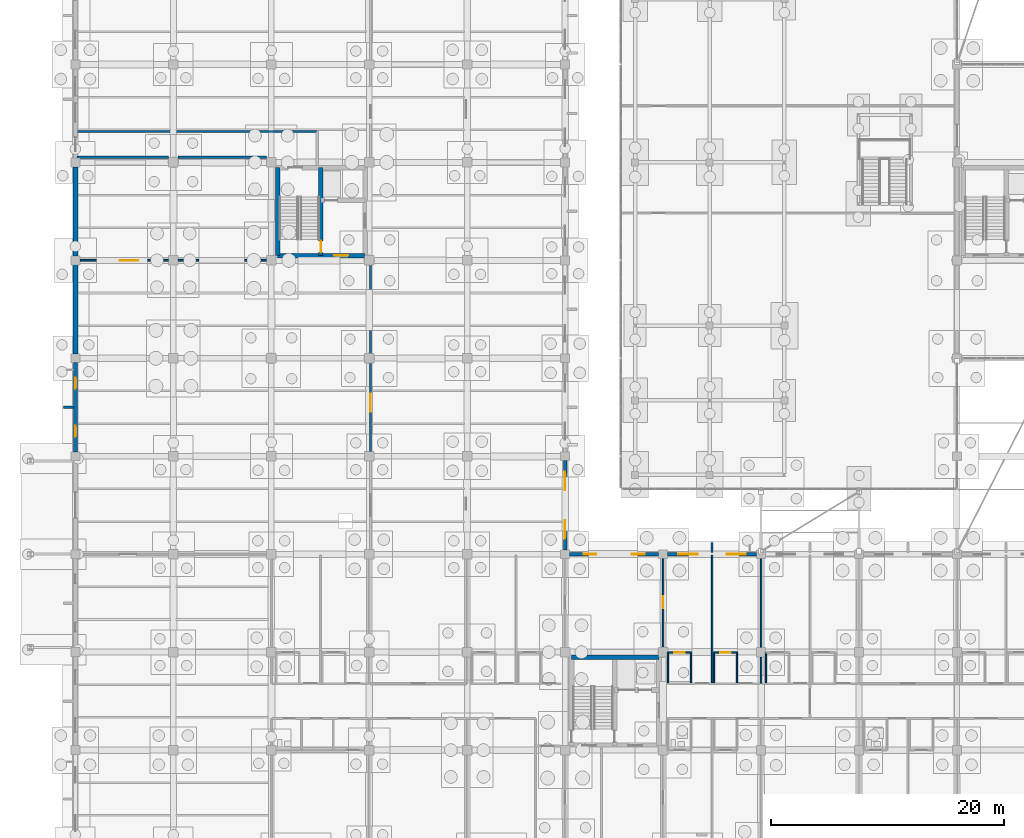
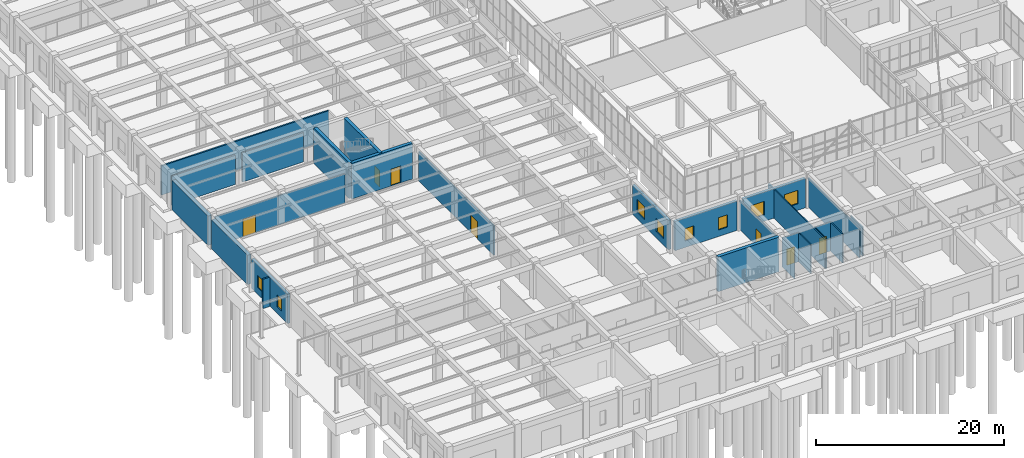
# One storey, part 152 of 192: 27 walls, 8 windows, 7 doors, 15 openings.
"""IFC4 building model written with IfcOpenShell, lengths in metres."""

from ifc_helpers import new_model, si_unit, direction, frame, frame_2d, origin, place, context, subcontext, project, spatial, rectangle, extrude, material, layer, layer_set, type_object, element, fill, save


model = new_model("IFC4")

# Units and contexts
model_context = context("Model", 3, precision=1e-05, world=origin(), true_north=direction((0.0, 1.0)))
body_context = subcontext(model_context, "Body", "Model", "MODEL_VIEW")
ifc_project = project(units=[si_unit("LENGTHUNIT", "METRE"), si_unit("AREAUNIT", "SQUARE_METRE"), si_unit("VOLUMEUNIT", "CUBIC_METRE"), si_unit("PLANEANGLEUNIT", "RADIAN"), si_unit("MASSUNIT", "GRAM", prefix="KILO")], contexts=[model_context])

# Site, building, storey
site_placement = place(None, origin())
site = spatial("IfcSite", under=ifc_project, at=site_placement, CompositionType="ELEMENT")
building_placement = place(site_placement, origin())
building = spatial("IfcBuilding", under=site, at=building_placement, Name="Trelvath General Hospital", CompositionType="ELEMENT")
storey_placement = place(building_placement, origin())
storey = spatial("IfcBuildingStorey", under=building, at=storey_placement, Name="L00", CompositionType="ELEMENT", Elevation=0.0)

# Walls
ifc_material_1 = material(Name="Precast concrete C40/50", Category="concrete")
ifc_layer_1 = layer(ifc_material_1, 0.199951171875)
ifc_layer_set_1 = layer_set([ifc_layer_1], Name="Precast concrete C40/50")
wall_type_1 = type_object("IfcWallType", Name="BriseSoleilRib 200", PredefinedType="ELEMENTEDWALL", material=ifc_layer_set_1)
wall_1_placement = place(storey_placement, frame((-0.14990234375, 37.800048828125, 0.0), z_axis=(0.0, 0.0, 1.0), x_axis=(-1.0, 0.0, 0.0)))
element("IfcWall", 1, at=wall_1_placement, inside=storey, type_object=wall_type_1, Name="Precast Concrete Brise-Soleil Rib Fin L00-4", PredefinedType="ELEMENTEDWALL", context=body_context, shape_type="SweptSolid", body=[
    extrude(rectangle(XDim=0.85009765625, YDim=0.199951171875, at=frame_2d((0.425048828125, 0.0))), origin(), (0.0, 0.0, 1.0), 3.800048828125),
])
wall_2_placement = place(storey_placement, frame((54.60009765625, 25.35009765625, 0.0), z_axis=(0.0, 0.0, 1.0), x_axis=(0.0, 1.0, 0.0)))
element("IfcWall", 2, at=wall_2_placement, inside=storey, type_object=wall_type_1, Name="Precast Concrete Brise-Soleil Rib Fin L00-25", PredefinedType="ELEMENTEDWALL", context=body_context, shape_type="SweptSolid", body=[
    extrude(rectangle(XDim=0.849853515625, YDim=0.199951171875, at=frame_2d((0.4248046875, 0.0))), origin(), (0.0, 0.0, 1.0), 3.800048828125),
])

# Wall, opening, door
ifc_material_2 = material(Name="Gypsum acoustic steel-stud partition", Category="steel")
ifc_layer_2 = layer(ifc_material_2, 0.14990234375)
ifc_layer_set_2 = layer_set([ifc_layer_2], Name="Gypsum acoustic steel-stud partition")
wall_type_2 = type_object("IfcWallType", Name="ClinicalPartition 150", PredefinedType="PARTITIONING", material=ifc_layer_set_2)
wall_3_placement = place(storey_placement, frame((25.300048828125, 34.0, 0.0), z_axis=(0.0, 0.0, 1.0), x_axis=(0.0, 1.0, 0.0)))
wall_3 = element("IfcWall", 3, at=wall_3_placement, inside=storey, type_object=wall_type_2, Name="Imaging MRI-CT Partition L00-321", PredefinedType="PARTITIONING", context=body_context, shape_type="SweptSolid", body=[
    extrude(rectangle(XDim=16.0, YDim=0.14990234375, at=frame_2d((8.0, 0.0))), origin(), (0.0, 0.0, 1.0), 3.800048828125),
])
opening_1_placement = place(wall_3_placement, frame((3.39990234375, 0.0, 0.0)))
opening_1 = element("IfcOpeningElement", 4, at=opening_1_placement, cuts=wall_3, Name="Opening D-0-0440", PredefinedType="OPENING", context=body_context, shape_type="SweptSolid", body=[
    extrude(rectangle(XDim=1.550048828125, YDim=2.300048828125, at=frame_2d((0.77490234375, 1.14990234375))), frame((0.0, 0.0849609375, 0.0), z_axis=(0.0, -1.0, 0.0), x_axis=(1.0, 0.0, 0.0)), (0.0, 0.0, 1.0), 0.169921875),
])
ifc_material_3 = material(Name="Lead-lined radiation-shielded door")
door_type_1 = type_object("IfcDoorType", Name="Door Imaging 1550x2300", OperationType="DOUBLE_SWING_LEFT", PredefinedType="DOOR", material=ifc_material_3)
door_1_placement = place(opening_1_placement, origin())
door_1 = element("IfcDoor", 5, at=door_1_placement, inside=storey, type_object=door_type_1, Name="Imaging MRI-CT Door L00-440", OperationType="DOUBLE_SWING_LEFT", OverallHeight=2.300048828125, OverallWidth=1.550048828125, PredefinedType="DOOR", context=body_context, shape_type="SweptSolid", body=[
    extrude(rectangle(XDim=1.550048828125, YDim=2.300048828125, at=frame_2d((0.77490234375, 1.14990234375))), frame((0.0, 0.02490234375, 0.0), z_axis=(0.0, -1.0, 0.0), x_axis=(1.0, 0.0, 0.0)), (0.0, 0.0, 1.0), 0.050048828125),
])
fill(opening_1, door_1)

wall_4_placement = place(storey_placement, frame((0.419921875, 50.39990234375, 0.0), z_axis=(0.0, 0.0, 1.0), x_axis=(1.0, 0.0, 0.0)))
wall_4 = element("IfcWall", 6, at=wall_4_placement, inside=storey, type_object=wall_type_2, Name="Radiology Control Partition L00-322", PredefinedType="PARTITIONING", context=body_context, shape_type="SweptSolid", body=[
    extrude(rectangle(XDim=15.9599609375, YDim=0.14990234375, at=frame_2d((7.97998046875, 0.0))), origin(), (0.0, 0.0, 1.0), 3.800048828125),
])
opening_2_placement = place(wall_4_placement, frame((3.39990234375, 0.0, 0.0)))
opening_2 = element("IfcOpeningElement", 7, at=opening_2_placement, cuts=wall_4, Name="Opening D-0-0441", PredefinedType="OPENING", context=body_context, shape_type="SweptSolid", body=[
    extrude(rectangle(XDim=1.550048828125, YDim=2.300048828125, at=frame_2d((0.77490234375, 1.14990234375))), frame((0.0, 0.0849609375, 0.0), z_axis=(0.0, -1.0, 0.0), x_axis=(1.0, 0.0, 0.0)), (0.0, 0.0, 1.0), 0.169921875),
])
door_2_placement = place(opening_2_placement, origin())
door_2 = element("IfcDoor", 8, at=door_2_placement, inside=storey, type_object=door_type_1, Name="Radiology Control Door L00-441", OperationType="DOUBLE_SWING_LEFT", OverallHeight=2.300048828125, OverallWidth=1.550048828125, PredefinedType="DOOR", context=body_context, shape_type="SweptSolid", body=[
    extrude(rectangle(XDim=1.550048828125, YDim=2.300048828125, at=frame_2d((0.77490234375, 1.14990234375))), frame((0.0, 0.02490234375, 0.0), z_axis=(0.0, -1.0, 0.0), x_axis=(1.0, 0.0, 0.0)), (0.0, 0.0, 1.0), 0.050048828125),
])
fill(opening_2, door_2)

# Wall
ifc_material_4 = material(Name="Concrete C40/50", Category="concrete")
ifc_layer_3 = layer(ifc_material_4, 0.39990234375)
ifc_layer_set_3 = layer_set([ifc_layer_3], Name="Concrete C40/50")
wall_type_3 = type_object("IfcWallType", Name="CoreShearWall 400", PredefinedType="SHEAR", material=ifc_layer_set_3)
wall_5_placement = place(storey_placement, frame((42.550048828125, 16.35009765625, 0.0), z_axis=(0.0, 0.0, 1.0), x_axis=(1.0, 0.0, 0.0)))
element("IfcWall", 9, at=wall_5_placement, inside=storey, type_object=wall_type_3, Name="Core Shear Wall C4 N L00", PredefinedType="SHEAR", context=body_context, shape_type="SweptSolid", body=[
    extrude(rectangle(XDim=7.5, YDim=0.39990234375, at=frame_2d((3.75, 0.0))), origin(), (0.0, 0.0, 1.0), 4.52001953125),
])

# Wall, opening, door
wall_6_placement = place(storey_placement, frame((17.35009765625, 50.800048828125, 0.0), z_axis=(0.0, 0.0, 1.0), x_axis=(1.0, 0.0, 0.0)))
wall_6 = element("IfcWall", 10, at=wall_6_placement, inside=storey, type_object=wall_type_3, Name="Core Shear Wall C8 S L00", PredefinedType="SHEAR", context=body_context, shape_type="SweptSolid", body=[
    extrude(rectangle(XDim=7.5, YDim=0.39990234375, at=frame_2d((3.75, 0.0))), origin(), (0.0, 0.0, 1.0), 4.639892578125),
])
opening_3_placement = place(wall_6_placement, frame((4.85009765625, 0.0, 0.0)))
opening_3 = element("IfcOpeningElement", 11, at=opening_3_placement, cuts=wall_6, Name="Opening FD-LS80", PredefinedType="OPENING", context=body_context, shape_type="SweptSolid", body=[
    extrude(rectangle(XDim=1.199951171875, YDim=2.199951171875, at=frame_2d((0.60009765625, 1.10009765625))), frame((0.0, 0.2099609375, 0.0), z_axis=(0.0, -1.0, 0.0), x_axis=(1.0, 0.0, 0.0)), (0.0, 0.0, 1.0), 0.419921875),
])
ifc_material_5 = material(Name="Fire-rated steel door", Category="steel")
door_type_2 = type_object("IfcDoorType", Name="Door FireLobby 1200x2200", OperationType="NOTDEFINED", PredefinedType="DOOR", material=ifc_material_5)
door_3_placement = place(opening_3_placement, origin())
door_3 = element("IfcDoor", 12, at=door_3_placement, inside=storey, type_object=door_type_2, Name="Fire Lobby South Concourse Door C8 L00", OperationType="SINGLE_SWING_LEFT", OverallHeight=2.199951171875, OverallWidth=1.199951171875, PredefinedType="DOOR", context=body_context, shape_type="SweptSolid", body=[
    extrude(rectangle(XDim=1.199951171875, YDim=2.199951171875, at=frame_2d((0.60009765625, 1.10009765625))), frame((0.0, 0.02490234375, 0.0), z_axis=(0.0, -1.0, 0.0), x_axis=(1.0, 0.0, 0.0)), (0.0, 0.0, 1.0), 0.050048828125),
])
fill(opening_3, door_3)

# Wall
wall_7_placement = place(storey_placement, frame((17.35009765625, 50.800048828125, 0.0), z_axis=(0.0, 0.0, 1.0), x_axis=(0.0, 1.0, 0.0)))
element("IfcWall", 13, at=wall_7_placement, inside=storey, type_object=wall_type_3, Name="Core Shear Wall C8 W L00", PredefinedType="SHEAR", context=body_context, shape_type="SweptSolid", body=[
    extrude(rectangle(XDim=7.550048828125, YDim=0.39990234375, at=frame_2d((3.77490234375, 0.0))), origin(), (0.0, 0.0, 1.0), 4.639892578125),
])

# Wall, opening, door
wall_8_placement = place(storey_placement, frame((21.050048828125, 50.800048828125, 0.0), z_axis=(0.0, 0.0, 1.0), x_axis=(0.0, 1.0, 0.0)))
wall_8 = element("IfcWall", 14, at=wall_8_placement, inside=storey, type_object=wall_type_3, Name="Core Shear Wall C8 SPINE L00", PredefinedType="SHEAR", context=body_context, shape_type="SweptSolid", body=[
    extrude(rectangle(XDim=7.550048828125, YDim=0.39990234375, at=frame_2d((3.77490234375, 0.0))), origin(), (0.0, 0.0, 1.0), 4.639892578125),
])
opening_4_placement = place(wall_8_placement, frame((0.280029296875, 0.0, 0.0)))
opening_4 = element("IfcOpeningElement", 15, at=opening_4_placement, cuts=wall_8, Name="Opening FD-S80", PredefinedType="OPENING", context=body_context, shape_type="SweptSolid", body=[
    extrude(rectangle(XDim=1.0, YDim=2.14990234375, at=frame_2d((0.5, 1.074951171875))), frame((0.0, 0.2099609375, 0.0), z_axis=(0.0, -1.0, 0.0), x_axis=(1.0, 0.0, 0.0)), (0.0, 0.0, 1.0), 0.419921875),
])
ifc_material_6 = material(Name="Fire-rated steel door", Category="steel")
door_type_3 = type_object("IfcDoorType", Name="Door FireStair 1100x2150", OperationType="NOTDEFINED", PredefinedType="DOOR", material=ifc_material_6)
door_4_placement = place(opening_4_placement, origin())
door_4 = element("IfcDoor", 16, at=door_4_placement, inside=storey, type_object=door_type_3, Name="Exit Stair Door ST8 L00", OperationType="SINGLE_SWING_RIGHT", OverallHeight=2.14990234375, OverallWidth=1.0, PredefinedType="DOOR", context=body_context, shape_type="SweptSolid", body=[
    extrude(rectangle(XDim=1.0, YDim=2.14990234375, at=frame_2d((0.5, 1.074951171875))), frame((0.0, 0.02490234375, 0.0), z_axis=(0.0, -1.0, 0.0), x_axis=(1.0, 0.0, 0.0)), (0.0, 0.0, 1.0), 0.050048828125),
])
fill(opening_4, door_4)

# Walls
ifc_material_7 = material(Name="Moisture-resistant tile partition")
ifc_layer_4 = layer(ifc_material_7, 0.110107421875)
ifc_layer_set_4 = layer_set([ifc_layer_4], Name="Moisture-resistant tile partition")
wall_type_4 = type_object("IfcWallType", Name="EnSuiteWetWall 110", PredefinedType="PARTITIONING", material=ifc_layer_set_4)
for number, where, z_axis, x_axis, name in (
    (17, (50.820068359375, 14.169921875, 0.0), (0.0, 0.0, 1.0), (0.0, 1.0, 0.0), "En-Suite W Wall N L00-56"),
    (18, (52.800048828125, 14.169921875, 0.0), (0.0, 0.0, 1.0), (0.0, 1.0, 0.0), "En-Suite E Wall N L00-57"),
):
    element("IfcWall", number, at=place(storey_placement, frame(where, z_axis=z_axis, x_axis=x_axis)), inside=storey, type_object=wall_type_4, Name=name, PredefinedType="PARTITIONING", context=body_context, shape_type="SweptSolid", body=[
        extrude(rectangle(XDim=2.610107421875, YDim=0.110107421875, at=frame_2d((1.30517578125, 0.0))), origin(), (0.0, 0.0, 1.0), 3.800048828125),
    ])

# Wall, opening, door
wall_9_placement = place(storey_placement, frame((50.820068359375, 16.780029296875, 0.0), z_axis=(0.0, 0.0, 1.0), x_axis=(1.0, 0.0, 0.0)))
wall_9 = element("IfcWall", 19, at=wall_9_placement, inside=storey, type_object=wall_type_4, Name="En-Suite Bathroom N Partition L00-58", PredefinedType="PARTITIONING", context=body_context, shape_type="SweptSolid", body=[
    extrude(rectangle(XDim=1.97998046875, YDim=0.110107421875, at=frame_2d((0.989990234375, 0.0))), origin(), (0.0, 0.0, 1.0), 3.800048828125),
])
opening_5_placement = place(wall_9_placement, frame((0.5400390625, 0.0, 0.0)))
opening_5 = element("IfcOpeningElement", 20, at=opening_5_placement, cuts=wall_9, Name="Opening D-0-0311", PredefinedType="OPENING", context=body_context, shape_type="SweptSolid", body=[
    extrude(rectangle(XDim=0.89990234375, YDim=2.10009765625, at=frame_2d((0.449951171875, 1.050048828125))), frame((0.0, 0.06494140625, 0.0), z_axis=(0.0, -1.0, 0.0), x_axis=(1.0, 0.0, 0.0)), (0.0, 0.0, 1.0), 0.130126953125),
])
ifc_material_8 = material(Name="Moisture-sealed timber leaf", Category="wood")
door_type_4 = type_object("IfcDoorType", Name="Door EnSuite 900x2100", OperationType="NOTDEFINED", PredefinedType="DOOR", material=ifc_material_8)
door_5_placement = place(opening_5_placement, origin())
door_5 = element("IfcDoor", 21, at=door_5_placement, inside=storey, type_object=door_type_4, Name="En-Suite Bathroom N Door L00-311", OperationType="SINGLE_SWING_LEFT", OverallHeight=2.10009765625, OverallWidth=0.89990234375, PredefinedType="DOOR", context=body_context, shape_type="SweptSolid", body=[
    extrude(rectangle(XDim=0.89990234375, YDim=2.10009765625, at=frame_2d((0.449951171875, 1.050048828125))), frame((0.0, 0.02490234375, 0.0), z_axis=(0.0, -1.0, 0.0), x_axis=(1.0, 0.0, 0.0)), (0.0, 0.0, 1.0), 0.050048828125),
])
fill(opening_5, door_5)

# Walls
for number, where, z_axis, x_axis, name in (
    (22, (54.760009765625, 14.169921875, 0.0), (0.0, 0.0, 1.0), (0.0, 1.0, 0.0), "En-Suite W Wall N L00-59"),
    (23, (56.739990234375, 14.169921875, 0.0), (0.0, 0.0, 1.0), (0.0, 1.0, 0.0), "En-Suite E Wall N L00-60"),
):
    element("IfcWall", number, at=place(storey_placement, frame(where, z_axis=z_axis, x_axis=x_axis)), inside=storey, type_object=wall_type_4, Name=name, PredefinedType="PARTITIONING", context=body_context, shape_type="SweptSolid", body=[
        extrude(rectangle(XDim=2.610107421875, YDim=0.110107421875, at=frame_2d((1.30517578125, 0.0))), origin(), (0.0, 0.0, 1.0), 3.800048828125),
    ])

# Wall, opening, door
wall_10_placement = place(storey_placement, frame((54.760009765625, 16.780029296875, 0.0), z_axis=(0.0, 0.0, 1.0), x_axis=(1.0, 0.0, 0.0)))
wall_10 = element("IfcWall", 24, at=wall_10_placement, inside=storey, type_object=wall_type_4, Name="En-Suite Bathroom N Partition L00-61", PredefinedType="PARTITIONING", context=body_context, shape_type="SweptSolid", body=[
    extrude(rectangle(XDim=1.97998046875, YDim=0.110107421875, at=frame_2d((0.989990234375, 0.0))), origin(), (0.0, 0.0, 1.0), 3.800048828125),
])
opening_6_placement = place(wall_10_placement, frame((0.5400390625, 0.0, 0.0)))
opening_6 = element("IfcOpeningElement", 25, at=opening_6_placement, cuts=wall_10, Name="Opening D-0-0312", PredefinedType="OPENING", context=body_context, shape_type="SweptSolid", body=[
    extrude(rectangle(XDim=0.89990234375, YDim=2.10009765625, at=frame_2d((0.449951171875, 1.050048828125))), frame((0.0, 0.06494140625, 0.0), z_axis=(0.0, -1.0, 0.0), x_axis=(1.0, 0.0, 0.0)), (0.0, 0.0, 1.0), 0.130126953125),
])
door_6_placement = place(opening_6_placement, origin())
door_6 = element("IfcDoor", 26, at=door_6_placement, inside=storey, type_object=door_type_4, Name="En-Suite Bathroom N Door L00-312", OperationType="SINGLE_SWING_RIGHT", OverallHeight=2.10009765625, OverallWidth=0.89990234375, PredefinedType="DOOR", context=body_context, shape_type="SweptSolid", body=[
    extrude(rectangle(XDim=0.89990234375, YDim=2.10009765625, at=frame_2d((0.449951171875, 1.050048828125))), frame((0.0, 0.02490234375, 0.0), z_axis=(0.0, -1.0, 0.0), x_axis=(1.0, 0.0, 0.0)), (0.0, 0.0, 1.0), 0.050048828125),
])
fill(opening_6, door_6)

# Wall
wall_11_placement = place(storey_placement, frame((59.219970703125, 14.169921875, 0.0), z_axis=(0.0, 0.0, 1.0), x_axis=(0.0, 1.0, 0.0)))
element("IfcWall", 27, at=wall_11_placement, inside=storey, type_object=wall_type_4, Name="En-Suite W Wall N L00-67", PredefinedType="PARTITIONING", context=body_context, shape_type="SweptSolid", body=[
    extrude(rectangle(XDim=2.610107421875, YDim=0.110107421875, at=frame_2d((1.30517578125, 0.0))), origin(), (0.0, 0.0, 1.0), 3.800048828125),
])

# Wall, openings, windows
ifc_material_9 = material(Name="Concrete C35/45", Category="concrete")
ifc_layer_5 = layer(ifc_material_9, 0.320068359375)
ifc_layer_set_5 = layer_set([ifc_layer_5], Name="Concrete C35/45")
wall_type_5 = type_object("IfcWallType", Name="ExtThermalWall 320", PredefinedType="SOLIDWALL", material=ifc_layer_set_5)
wall_12_placement = place(storey_placement, frame((0.0, 33.97509765625, 0.0), z_axis=(0.0, 0.0, 1.0), x_axis=(0.0, 1.0, 0.0)))
wall_12 = element("IfcWall", 28, at=wall_12_placement, inside=storey, type_object=wall_type_5, Name="Exterior Concrete Wall L00-6", PredefinedType="SOLIDWALL", context=body_context, shape_type="SweptSolid", body=[
    extrude(rectangle(XDim=7.64990234375, YDim=0.320068359375, at=frame_2d((3.824951171875, 0.0))), origin(), (0.0, 0.0, 1.0), 3.820068359375),
])
opening_7_placement = place(wall_12_placement, frame((1.284423828125, 0.0, 0.85009765625)))
opening_7 = element("IfcOpeningElement", 29, at=opening_7_placement, cuts=wall_12, Name="Opening WN-0-007", PredefinedType="OPENING", context=body_context, shape_type="SweptSolid", body=[
    extrude(rectangle(XDim=0.949951171875, YDim=1.60009765625, at=frame_2d((0.47509765625, 0.800048828125))), frame((0.0, 0.169921875, 0.0), z_axis=(0.0, -1.0, 0.0), x_axis=(1.0, 0.0, 0.0)), (0.0, 0.0, 1.0), 0.340087890625),
])
opening_8_placement = place(wall_12_placement, frame((5.41552734375, 0.0, 0.85009765625)))
opening_8 = element("IfcOpeningElement", 30, at=opening_8_placement, cuts=wall_12, Name="Opening WN-0-008", PredefinedType="OPENING", context=body_context, shape_type="SweptSolid", body=[
    extrude(rectangle(XDim=0.949951171875, YDim=1.60009765625, at=frame_2d((0.47509765625, 0.800048828125))), frame((0.0, 0.169921875, 0.0), z_axis=(0.0, -1.0, 0.0), x_axis=(1.0, 0.0, 0.0)), (0.0, 0.0, 1.0), 0.340087890625),
])
ifc_material_10 = material(Name="Low-E laminated glass", Category="glass")
window_type_1 = type_object("IfcWindowType", Name="Window DeepReveal 950x1600", PartitioningType="SINGLE_PANEL", PredefinedType="WINDOW", material=ifc_material_10)
window_1_placement = place(opening_7_placement, origin())
window_1 = element("IfcWindow", 31, at=window_1_placement, inside=storey, type_object=window_type_1, Name="Solar Reveal Window L00-7", OverallHeight=1.60009765625, OverallWidth=0.949951171875, PartitioningType="SINGLE_PANEL", PredefinedType="WINDOW", context=body_context, shape_type="SweptSolid", body=[
    extrude(rectangle(XDim=0.949951171875, YDim=1.60009765625, at=frame_2d((0.47509765625, 0.800048828125))), frame((0.0, 0.030029296875, 0.0), z_axis=(0.0, -1.0, 0.0), x_axis=(1.0, 0.0, 0.0)), (0.0, 0.0, 1.0), 0.06005859375),
])
fill(opening_7, window_1)
window_2_placement = place(opening_8_placement, origin())
window_2 = element("IfcWindow", 32, at=window_2_placement, inside=storey, type_object=window_type_1, Name="Solar Reveal Window L00-8", OverallHeight=1.60009765625, OverallWidth=0.949951171875, PartitioningType="SINGLE_PANEL", PredefinedType="WINDOW", context=body_context, shape_type="SweptSolid", body=[
    extrude(rectangle(XDim=0.949951171875, YDim=1.60009765625, at=frame_2d((0.47509765625, 0.800048828125))), frame((0.0, 0.030029296875, 0.0), z_axis=(0.0, -1.0, 0.0), x_axis=(1.0, 0.0, 0.0)), (0.0, 0.0, 1.0), 0.06005859375),
])
fill(opening_8, window_2)

wall_13_placement = place(storey_placement, frame((42.0, 33.22509765625, 0.0), z_axis=(0.0, 0.0, 1.0), x_axis=(0.0, -1.0, 0.0)))
wall_13 = element("IfcWall", 33, at=wall_13_placement, inside=storey, type_object=wall_type_5, Name="Exterior Concrete Wall L00-24", PredefinedType="SOLIDWALL", context=body_context, shape_type="SweptSolid", body=[
    extrude(rectangle(XDim=7.650146484375, YDim=0.320068359375, at=frame_2d((3.8251953125, 0.0))), origin(), (0.0, 0.0, 1.0), 3.820068359375),
])
opening_9_placement = place(wall_13_placement, frame((0.969482421875, 0.0, 0.85009765625)))
opening_9 = element("IfcOpeningElement", 34, at=opening_9_placement, cuts=wall_13, Name="Opening WN-0-029", PredefinedType="OPENING", context=body_context, shape_type="SweptSolid", body=[
    extrude(rectangle(XDim=1.580078125, YDim=1.699951171875, at=frame_2d((0.7900390625, 0.85009765625))), frame((0.0, 0.169921875, 0.0), z_axis=(0.0, -1.0, 0.0), x_axis=(1.0, 0.0, 0.0)), (0.0, 0.0, 1.0), 0.340087890625),
])
opening_10_placement = place(wall_13_placement, frame((5.1005859375, 0.0, 0.85009765625)))
opening_10 = element("IfcOpeningElement", 35, at=opening_10_placement, cuts=wall_13, Name="Opening WN-0-030", PredefinedType="OPENING", context=body_context, shape_type="SweptSolid", body=[
    extrude(rectangle(XDim=1.580078125, YDim=1.699951171875, at=frame_2d((0.7900390625, 0.85009765625))), frame((0.0, 0.169921875, 0.0), z_axis=(0.0, -1.0, 0.0), x_axis=(1.0, 0.0, 0.0)), (0.0, 0.0, 1.0), 0.340087890625),
])
ifc_material_11 = material(Name="Low-E laminated glass", Category="glass")
window_type_2 = type_object("IfcWindowType", Name="Window Recovery 1580x1700", PartitioningType="DOUBLE_PANEL_VERTICAL", PredefinedType="WINDOW", material=ifc_material_11)
window_3_placement = place(opening_9_placement, origin())
window_3 = element("IfcWindow", 36, at=window_3_placement, inside=storey, type_object=window_type_2, Name="Solar Reveal Window L00-29", OverallHeight=1.699951171875, OverallWidth=1.580078125, PartitioningType="SINGLE_PANEL", PredefinedType="WINDOW", context=body_context, shape_type="SweptSolid", body=[
    extrude(rectangle(XDim=1.580078125, YDim=1.699951171875, at=frame_2d((0.7900390625, 0.85009765625))), frame((0.0, 0.030029296875, 0.0), z_axis=(0.0, -1.0, 0.0), x_axis=(1.0, 0.0, 0.0)), (0.0, 0.0, 1.0), 0.06005859375),
])
fill(opening_9, window_3)
window_4_placement = place(opening_10_placement, origin())
window_4 = element("IfcWindow", 37, at=window_4_placement, inside=storey, type_object=window_type_2, Name="Solar Reveal Window L00-30", OverallHeight=1.699951171875, OverallWidth=1.580078125, PartitioningType="SINGLE_PANEL", PredefinedType="WINDOW", context=body_context, shape_type="SweptSolid", body=[
    extrude(rectangle(XDim=1.580078125, YDim=1.699951171875, at=frame_2d((0.7900390625, 0.85009765625))), frame((0.0, 0.030029296875, 0.0), z_axis=(0.0, -1.0, 0.0), x_axis=(1.0, 0.0, 0.0)), (0.0, 0.0, 1.0), 0.06005859375),
])
fill(opening_10, window_4)

wall_14_placement = place(storey_placement, frame((42.375, 25.199951171875, 0.0), z_axis=(0.0, 0.0, 1.0), x_axis=(1.0, 0.0, 0.0)))
wall_14 = element("IfcWall", 38, at=wall_14_placement, inside=storey, type_object=wall_type_5, Name="Exterior Concrete Wall L00-34", PredefinedType="SOLIDWALL", context=body_context, shape_type="SweptSolid", body=[
    extrude(rectangle(XDim=7.64990234375, YDim=0.320068359375, at=frame_2d((3.824951171875, 0.0))), origin(), (0.0, 0.0, 1.0), 3.820068359375),
])
opening_11_placement = place(wall_14_placement, frame((1.20947265625, 0.0, 0.85009765625)))
opening_11 = element("IfcOpeningElement", 39, at=opening_11_placement, cuts=wall_14, Name="Opening WN-0-049", PredefinedType="OPENING", context=body_context, shape_type="SweptSolid", body=[
    extrude(rectangle(XDim=1.10009765625, YDim=1.60009765625, at=frame_2d((0.550048828125, 0.800048828125))), frame((0.0, 0.169921875, 0.0), z_axis=(0.0, -1.0, 0.0), x_axis=(1.0, 0.0, 0.0)), (0.0, 0.0, 1.0), 0.340087890625),
])
opening_12_placement = place(wall_14_placement, frame((5.340576171875, 0.0, 0.85009765625)))
opening_12 = element("IfcOpeningElement", 40, at=opening_12_placement, cuts=wall_14, Name="Opening WN-0-050", PredefinedType="OPENING", context=body_context, shape_type="SweptSolid", body=[
    extrude(rectangle(XDim=1.10009765625, YDim=1.60009765625, at=frame_2d((0.550048828125, 0.800048828125))), frame((0.0, 0.169921875, 0.0), z_axis=(0.0, -1.0, 0.0), x_axis=(1.0, 0.0, 0.0)), (0.0, 0.0, 1.0), 0.340087890625),
])
ifc_material_12 = material(Name="Low-E laminated glass", Category="glass")
window_type_3 = type_object("IfcWindowType", Name="Window DeepReveal 1100x1600", PartitioningType="SINGLE_PANEL", PredefinedType="WINDOW", material=ifc_material_12)
window_5_placement = place(opening_11_placement, origin())
window_5 = element("IfcWindow", 41, at=window_5_placement, inside=storey, type_object=window_type_3, Name="Solar Reveal Window L00-49", OverallHeight=1.60009765625, OverallWidth=1.10009765625, PartitioningType="SINGLE_PANEL", PredefinedType="WINDOW", context=body_context, shape_type="SweptSolid", body=[
    extrude(rectangle(XDim=1.10009765625, YDim=1.60009765625, at=frame_2d((0.550048828125, 0.800048828125))), frame((0.0, 0.030029296875, 0.0), z_axis=(0.0, -1.0, 0.0), x_axis=(1.0, 0.0, 0.0)), (0.0, 0.0, 1.0), 0.06005859375),
])
fill(opening_11, window_5)
window_6_placement = place(opening_12_placement, origin())
window_6 = element("IfcWindow", 42, at=window_6_placement, inside=storey, type_object=window_type_3, Name="Solar Reveal Window L00-50", OverallHeight=1.60009765625, OverallWidth=1.10009765625, PartitioningType="SINGLE_PANEL", PredefinedType="WINDOW", context=body_context, shape_type="SweptSolid", body=[
    extrude(rectangle(XDim=1.10009765625, YDim=1.60009765625, at=frame_2d((0.550048828125, 0.800048828125))), frame((0.0, 0.030029296875, 0.0), z_axis=(0.0, -1.0, 0.0), x_axis=(1.0, 0.0, 0.0)), (0.0, 0.0, 1.0), 0.06005859375),
])
fill(opening_12, window_6)

wall_15_placement = place(storey_placement, frame((50.77490234375, 25.199951171875, 0.0), z_axis=(0.0, 0.0, 1.0), x_axis=(1.0, 0.0, 0.0)))
wall_15 = element("IfcWall", 43, at=wall_15_placement, inside=storey, type_object=wall_type_5, Name="Exterior Concrete Wall L00-38", PredefinedType="SOLIDWALL", context=body_context, shape_type="SweptSolid", body=[
    extrude(rectangle(XDim=7.650146484375, YDim=0.320068359375, at=frame_2d((3.8251953125, 0.0))), origin(), (0.0, 0.0, 1.0), 3.820068359375),
])
opening_13_placement = place(wall_15_placement, frame((0.939453125, 0.0, 0.85009765625)))
opening_13 = element("IfcOpeningElement", 44, at=opening_13_placement, cuts=wall_15, Name="Opening WN-0-057", PredefinedType="OPENING", context=body_context, shape_type="SweptSolid", body=[
    extrude(rectangle(XDim=1.639892578125, YDim=1.75, at=frame_2d((0.81982421875, 0.875))), frame((0.0, 0.169921875, 0.0), z_axis=(0.0, -1.0, 0.0), x_axis=(1.0, 0.0, 0.0)), (0.0, 0.0, 1.0), 0.340087890625),
])
opening_14_placement = place(wall_15_placement, frame((5.070556640625, 0.0, 0.85009765625)))
opening_14 = element("IfcOpeningElement", 45, at=opening_14_placement, cuts=wall_15, Name="Opening WN-0-058", PredefinedType="OPENING", context=body_context, shape_type="SweptSolid", body=[
    extrude(rectangle(XDim=1.639892578125, YDim=1.75, at=frame_2d((0.81982421875, 0.875))), frame((0.0, 0.169921875, 0.0), z_axis=(0.0, -1.0, 0.0), x_axis=(1.0, 0.0, 0.0)), (0.0, 0.0, 1.0), 0.340087890625),
])
ifc_material_13 = material(Name="Low-E laminated glass", Category="glass")
window_type_4 = type_object("IfcWindowType", Name="Window ICU 1640x1750", PartitioningType="DOUBLE_PANEL_VERTICAL", PredefinedType="WINDOW", material=ifc_material_13)
window_7_placement = place(opening_13_placement, origin())
window_7 = element("IfcWindow", 46, at=window_7_placement, inside=storey, type_object=window_type_4, Name="Solar Reveal Window L00-57", OverallHeight=1.75, OverallWidth=1.639892578125, PartitioningType="SINGLE_PANEL", PredefinedType="WINDOW", context=body_context, shape_type="SweptSolid", body=[
    extrude(rectangle(XDim=1.639892578125, YDim=1.75, at=frame_2d((0.81982421875, 0.875))), frame((0.0, 0.030029296875, 0.0), z_axis=(0.0, -1.0, 0.0), x_axis=(1.0, 0.0, 0.0)), (0.0, 0.0, 1.0), 0.06005859375),
])
fill(opening_13, window_7)
window_8_placement = place(opening_14_placement, origin())
window_8 = element("IfcWindow", 47, at=window_8_placement, inside=storey, type_object=window_type_4, Name="Solar Reveal Window L00-58", OverallHeight=1.75, OverallWidth=1.639892578125, PartitioningType="SINGLE_PANEL", PredefinedType="WINDOW", context=body_context, shape_type="SweptSolid", body=[
    extrude(rectangle(XDim=1.639892578125, YDim=1.75, at=frame_2d((0.81982421875, 0.875))), frame((0.0, 0.030029296875, 0.0), z_axis=(0.0, -1.0, 0.0), x_axis=(1.0, 0.0, 0.0)), (0.0, 0.0, 1.0), 0.06005859375),
])
fill(opening_14, window_8)

# Walls
ifc_material_14 = material(Name="Concrete C40/50", Category="concrete")
ifc_layer_6 = layer(ifc_material_14, 0.43994140625)
ifc_layer_set_6 = layer_set([ifc_layer_6], Name="Concrete C40/50")
wall_type_6 = type_object("IfcWallType", Name="RadiationShieldWall 440", PredefinedType="SOLIDWALL", material=ifc_layer_set_6)
wall_16_placement = place(storey_placement, frame((0.0, 42.375, 0.0), z_axis=(0.0, 0.0, 1.0), x_axis=(0.0, 1.0, 0.0)))
element("IfcWall", 48, at=wall_16_placement, inside=storey, type_object=wall_type_6, Name="West Party Concrete Wall L00-7", PredefinedType="SOLIDWALL", context=body_context, shape_type="SweptSolid", body=[
    extrude(rectangle(XDim=7.64990234375, YDim=0.43994140625, at=frame_2d((3.824951171875, 0.0))), origin(), (0.0, 0.0, 1.0), 3.820068359375),
])
wall_17_placement = place(storey_placement, frame((0.0, 50.77490234375, 0.0), z_axis=(0.0, 0.0, 1.0), x_axis=(0.0, 1.0, 0.0)))
element("IfcWall", 49, at=wall_17_placement, inside=storey, type_object=wall_type_6, Name="West Party Concrete Wall L00-8", PredefinedType="SOLIDWALL", context=body_context, shape_type="SweptSolid", body=[
    extrude(rectangle(XDim=7.650146484375, YDim=0.43994140625, at=frame_2d((3.8251953125, 0.0))), origin(), (0.0, 0.0, 1.0), 3.820068359375),
])
ifc_material_15 = material(Name="Masonry fire blockwork", Category="masonry")
ifc_layer_7 = layer(ifc_material_15, 0.179931640625)
ifc_layer_set_7 = layer_set([ifc_layer_7], Name="Masonry fire blockwork")
wall_type_7 = type_object("IfcWallType", Name="SmokeBarrierWall 180", PredefinedType="PARTITIONING", material=ifc_layer_set_7)
wall_18_placement = place(storey_placement, frame((0.139892578125, 61.43994140625, 0.0), z_axis=(0.0, 0.0, 1.0), x_axis=(1.0, 0.0, 0.0)))
element("IfcWall", 50, at=wall_18_placement, inside=storey, type_object=wall_type_7, Name="Exit Passage Fire Wall ST8 N L00", PredefinedType="PARTITIONING", context=body_context, shape_type="SweptSolid", body=[
    extrude(rectangle(XDim=20.60009765625, YDim=0.179931640625, at=frame_2d((10.300048828125, 0.0))), origin(), (0.0, 0.0, 1.0), 3.800048828125),
])
wall_19_placement = place(storey_placement, frame((0.139892578125, 59.239990234375, 0.0), z_axis=(0.0, 0.0, 1.0), x_axis=(1.0, 0.0, 0.0)))
element("IfcWall", 51, at=wall_19_placement, inside=storey, type_object=wall_type_7, Name="Exit Passage Fire Wall ST8 SW L00", PredefinedType="PARTITIONING", context=body_context, shape_type="SweptSolid", body=[
    extrude(rectangle(XDim=7.840087890625, YDim=0.179931640625, at=frame_2d((3.919921875, 0.0))), origin(), (0.0, 0.0, 1.0), 3.800048828125),
])
wall_20_placement = place(storey_placement, frame((8.820068359375, 59.239990234375, 0.0), z_axis=(0.0, 0.0, 1.0), x_axis=(1.0, 0.0, 0.0)))
element("IfcWall", 52, at=wall_20_placement, inside=storey, type_object=wall_type_7, Name="Exit Passage Fire Wall ST8 SE L00", PredefinedType="PARTITIONING", context=body_context, shape_type="SweptSolid", body=[
    extrude(rectangle(XDim=7.559814453125, YDim=0.179931640625, at=frame_2d((3.77978515625, 0.0))), origin(), (0.0, 0.0, 1.0), 3.800048828125),
])

# Wall, opening, door
ifc_material_16 = material(Name="Gypsum acoustic steel-stud partition", Category="steel")
ifc_layer_8 = layer(ifc_material_16, 0.1298828125)
ifc_layer_set_8 = layer_set([ifc_layer_8], Name="Gypsum acoustic steel-stud partition")
wall_type_8 = type_object("IfcWallType", Name="WardPartition 130", PredefinedType="PARTITIONING", material=ifc_layer_set_8)
wall_21_placement = place(storey_placement, frame((50.39990234375, 17.14990234375, 0.0), z_axis=(0.0, 0.0, 1.0), x_axis=(0.0, 1.0, 0.0)))
wall_21 = element("IfcWall", 53, at=wall_21_placement, inside=storey, type_object=wall_type_8, Name="Inter-Bay Ward Partition N L00-44", PredefinedType="PARTITIONING", context=body_context, shape_type="SweptSolid", body=[
    extrude(rectangle(XDim=7.91015625, YDim=0.1298828125, at=frame_2d((3.955078125, 0.0))), origin(), (0.0, 0.0, 1.0), 3.800048828125),
])
opening_15_placement = place(wall_21_placement, frame((3.39990234375, 0.0, 0.0)))
opening_15 = element("IfcOpeningElement", 54, at=opening_15_placement, cuts=wall_21, Name="Opening D-0-0304", PredefinedType="OPENING", context=body_context, shape_type="SweptSolid", body=[
    extrude(rectangle(XDim=1.050048828125, YDim=2.199951171875, at=frame_2d((0.52490234375, 1.10009765625))), frame((0.0, 0.074951171875, 0.0), z_axis=(0.0, -1.0, 0.0), x_axis=(1.0, 0.0, 0.0)), (0.0, 0.0, 1.0), 0.14990234375),
])
ifc_material_17 = material(Name="Acoustic hospital timber leaf", Category="wood")
door_type_5 = type_object("IfcDoorType", Name="Door Consult 1050x2200", OperationType="NOTDEFINED", PredefinedType="DOOR", material=ifc_material_17)
door_7_placement = place(opening_15_placement, origin())
door_7 = element("IfcDoor", 55, at=door_7_placement, inside=storey, type_object=door_type_5, Name="Consultation Connecting Door L00-304", OperationType="SINGLE_SWING_LEFT", OverallHeight=2.199951171875, OverallWidth=1.050048828125, PredefinedType="DOOR", context=body_context, shape_type="SweptSolid", body=[
    extrude(rectangle(XDim=1.050048828125, YDim=2.199951171875, at=frame_2d((0.52490234375, 1.10009765625))), frame((0.0, 0.02490234375, 0.0), z_axis=(0.0, -1.0, 0.0), x_axis=(1.0, 0.0, 0.0)), (0.0, 0.0, 1.0), 0.050048828125),
])
fill(opening_15, door_7)

# Walls
wall_22_placement = place(storey_placement, frame((54.60009765625, 14.169921875, 0.0), z_axis=(0.0, 0.0, 1.0), x_axis=(0.0, 1.0, 0.0)))
element("IfcWall", 56, at=wall_22_placement, inside=storey, type_object=wall_type_8, Name="Room Dividing Partition N L00-55", PredefinedType="PARTITIONING", context=body_context, shape_type="SweptSolid", body=[
    extrude(rectangle(XDim=10.93017578125, YDim=0.1298828125, at=frame_2d((5.465087890625, 0.0))), origin(), (0.0, 0.0, 1.0), 3.800048828125),
])
wall_23_placement = place(storey_placement, frame((58.800048828125, 14.1201171875, 0.0), z_axis=(0.0, 0.0, 1.0), x_axis=(0.0, 1.0, 0.0)))
element("IfcWall", 57, at=wall_23_placement, inside=storey, type_object=wall_type_8, Name="Inter-Bay Ward Partition N L00-63", PredefinedType="PARTITIONING", context=body_context, shape_type="SweptSolid", body=[
    extrude(rectangle(XDim=10.93994140625, YDim=0.1298828125, at=frame_2d((5.469970703125, 0.0))), origin(), (0.0, 0.0, 1.0), 3.800048828125),
])

save(model, "model.ifc")
